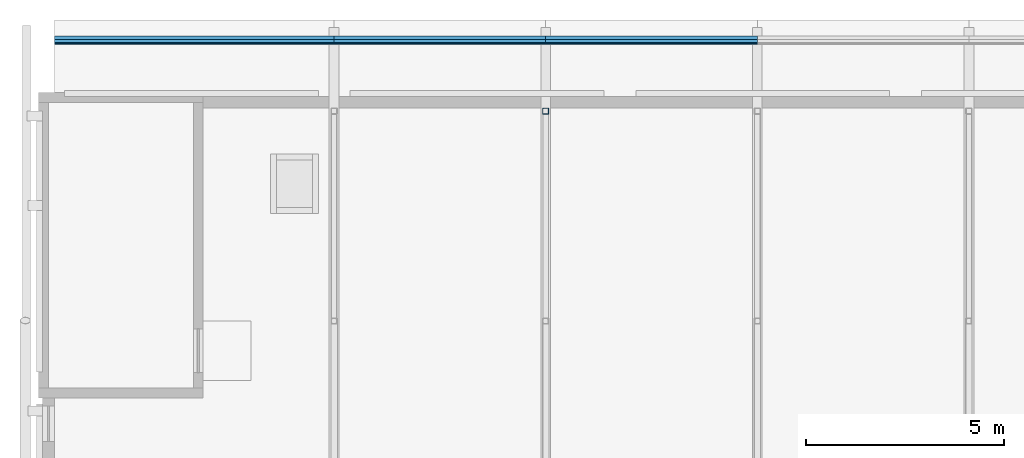
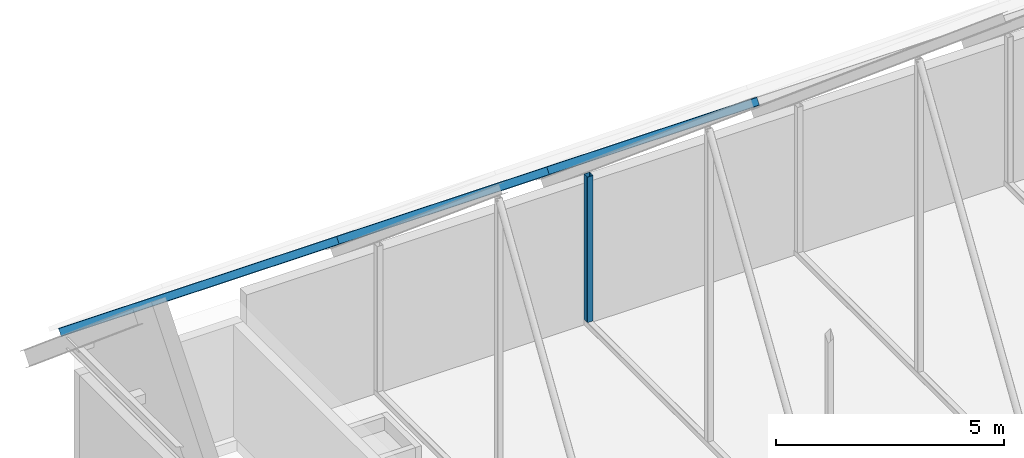
# One storey, part 19 of 29: 4 members.
"""IFC4 building model written with IfcOpenShell, lengths in metres."""

from ifc_helpers import new_model, si_unit, direction, frame, origin, origin_2d, place, context, subcontext, project, spatial, hollow_rectangle, i_section, extrude, material, material_profile, profile_set, type_object, element, save


model = new_model("IFC4")

# Units and contexts
model_context = context("Model", 3, precision=1e-05, world=origin(), true_north=direction((0.0, 1.0)))
body_context = subcontext(model_context, "Body", "Model", "MODEL_VIEW")
ifc_project = project(units=[si_unit("LENGTHUNIT", "METRE"), si_unit("AREAUNIT", "SQUARE_METRE"), si_unit("VOLUMEUNIT", "CUBIC_METRE"), si_unit("PLANEANGLEUNIT", "RADIAN"), si_unit("MASSUNIT", "GRAM", prefix="KILO")], contexts=[model_context])

# Site, building, storey
site_placement = place(None, origin())
site = spatial("IfcSite", under=ifc_project, at=site_placement, CompositionType="ELEMENT")
building_placement = place(site_placement, origin())
building = spatial("IfcBuilding", under=site, at=building_placement, Name="Silangan Lancet Faculty of Sciences", CompositionType="ELEMENT")
storey_placement = place(building_placement, frame((0.0, 0.0, 54.300048828125)))
storey = spatial("IfcBuildingStorey", under=building, at=storey_placement, Name="L11", CompositionType="ELEMENT", Elevation=54.300048828125)

# Members
ifc_material_1 = material(Name="Steel SS400", Category="steel")
ifc_material_profile_1 = material_profile(ifc_material_1, i_section(OverallWidth=0.10009765625, OverallDepth=0.199951171875, WebThickness=0.005615234375, FlangeThickness=0.008056640625, FilletRadius=0.008056640625, at=origin_2d()), Name="H 200x100x5.5x8")
ifc_profile_set_1 = profile_set([ifc_material_profile_1], Name="Steel SS400")
member_type_1 = type_object("IfcMemberType", Name="Sheeting purlin H 200x100x5.5x8", PredefinedType="PURLIN", material=ifc_profile_set_1)
member_1_placement = place(storey_placement, frame((0.14990234375, 59.161865234375, 3.071044921875), z_axis=(1.0, 0.0, 0.0), x_axis=(0.0, 0.765704867842, -0.64319208279)))
element("IfcMember", 1, at=member_1_placement, inside=storey, type_object=member_type_1, Name="Gable purlin 1N1", PredefinedType="PURLIN", context=body_context, shape_type="SweptSolid", body=[
    extrude(i_section(OverallWidth=0.10009765625, OverallDepth=0.199951171875, WebThickness=0.005615234375, FlangeThickness=0.008056640625, FilletRadius=0.008056640625, at=origin_2d()), origin(), (0.0, 0.0, 1.0), 7.050048828125),
])
for number, where, z_axis, x_axis, name in (
    (2, (7.199951171875, 59.161865234375, 3.071044921875), (1.0, 0.0, 0.0), (0.0, 0.765704867842, -0.64319208279), "Gable purlin 2N1"),
    (3, (12.53125, 59.161865234375, 3.071044921875), (1.0, 0.0, 0.0), (0.0, 0.765704867842, -0.64319208279), "Gable purlin 3N1"),
):
    element("IfcMember", number, at=place(storey_placement, frame(where, z_axis=z_axis, x_axis=x_axis)), inside=storey, type_object=member_type_1, Name=name, PredefinedType="PURLIN", context=body_context, shape_type="SweptSolid", body=[
        extrude(i_section(OverallWidth=0.10009765625, OverallDepth=0.199951171875, WebThickness=0.005615234375, FlangeThickness=0.008056640625, FilletRadius=0.008056640625, at=origin_2d()), origin(), (0.0, 0.0, 1.0), 5.331298828125),
    ])
ifc_material_2 = material(Name="Steel STKR400", Category="steel")
ifc_material_profile_2 = material_profile(ifc_material_2, hollow_rectangle(XDim=0.14990234375, YDim=0.14990234375, WallThickness=0.006103515625, InnerFilletRadius=0.006103515625, OuterFilletRadius=0.011962890625, at=origin_2d()), Name="SHS 150x150x6.0")
ifc_profile_set_2 = profile_set([ifc_material_profile_2], Name="Steel STKR400")
member_type_2 = type_object("IfcMemberType", Name="Truss post SHS 150x150x6.0", PredefinedType="POST", material=ifc_profile_set_2)
member_2_placement = place(storey_placement, frame((12.53125, 57.375, 0.14990234375), z_axis=(0.0, 0.0, 1.0), x_axis=(1.0, 0.0, 0.0)))
element("IfcMember", 4, at=member_2_placement, inside=storey, type_object=member_type_2, Name="Gable truss 2 eave post N", PredefinedType="POST", context=body_context, shape_type="SweptSolid", body=[
    extrude(hollow_rectangle(XDim=0.14990234375, YDim=0.14990234375, WallThickness=0.006103515625, InnerFilletRadius=0.006103515625, OuterFilletRadius=0.011962890625, at=origin_2d()), origin(), (0.0, 0.0, 1.0), 3.902099609375),
])

save(model, "model.ifc")
